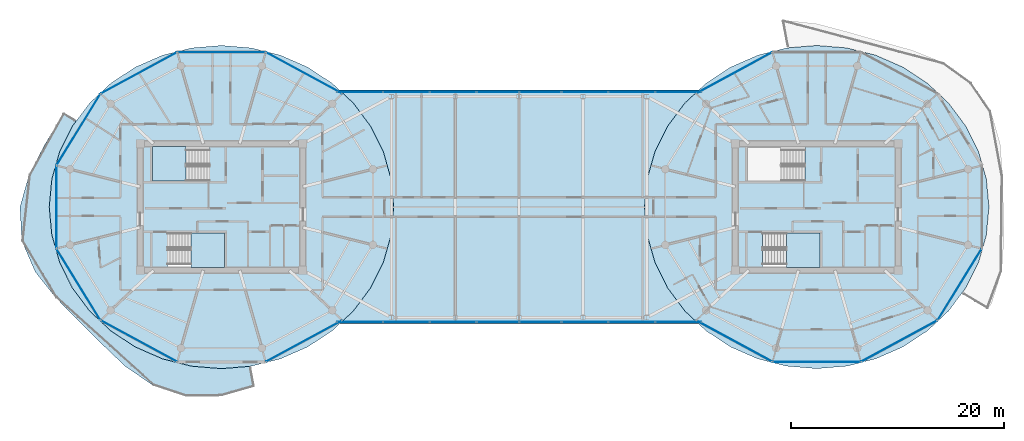
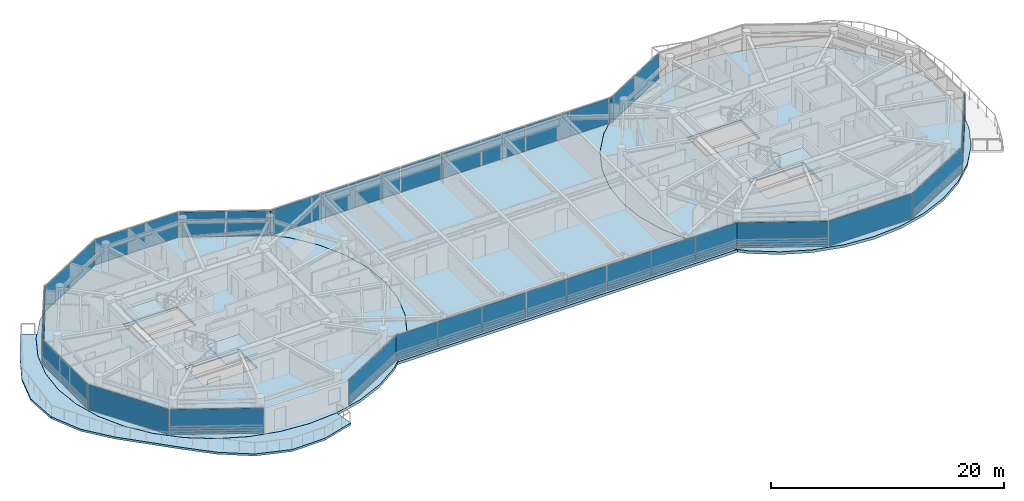
# One storey, part 11 of 24: 29 plates, 7 slabs, 22 elements without a shape of their own.
"""IFC4 building model written with IfcOpenShell, lengths in metres."""

from ifc_helpers import new_model, si_unit, direction, frame, origin, origin_2d, place, context, subcontext, project, spatial, polyline, rectangle, outline, extrude, source, transform, mapped, material, layer, layer_set, type_object, type_shapes, element, aggregate, save


model = new_model("IFC4")

# Units and contexts
model_context = context("Model", 3, precision=1e-05, world=origin(), true_north=direction((0.0, 1.0)))
body_context = subcontext(model_context, "Body", "Model", "MODEL_VIEW")
ifc_project = project(units=[si_unit("LENGTHUNIT", "METRE"), si_unit("AREAUNIT", "SQUARE_METRE"), si_unit("VOLUMEUNIT", "CUBIC_METRE"), si_unit("PLANEANGLEUNIT", "RADIAN"), si_unit("MASSUNIT", "GRAM", prefix="KILO")], contexts=[model_context])

# Site, building, storey
site_placement = place(None, origin())
site = spatial("IfcSite", under=ifc_project, at=site_placement, CompositionType="ELEMENT")
building_placement = place(site_placement, origin())
building = spatial("IfcBuilding", under=site, at=building_placement, Name="Norrkilde Senior Care Towers", CompositionType="ELEMENT")
storey_placement = place(building_placement, frame((0.0, 0.0, 223.050048828125)))
storey = spatial("IfcBuildingStorey", under=building, at=storey_placement, Name="L69", CompositionType="ELEMENT", Elevation=223.050048828125)

# Slabs
ifc_material_1 = material(Name="Concrete C50/60", Category="concrete")
ifc_layer_1 = layer(ifc_material_1, 0.2900390625)
ifc_layer_set_1 = layer_set([ifc_layer_1], Name="Concrete C50/60")
slab_type_1 = type_object("IfcSlabType", Name="Bridge Floor Slab 290", PredefinedType="FLOOR", material=ifc_layer_set_1)
slab_1_placement = place(storey_placement, frame((0.0, 0.0, -0.2900390625)))
element("IfcSlab", 1, at=slab_1_placement, inside=storey, type_object=slab_type_1, Name="L69 Drum W Structural Floor Slab", PredefinedType="FLOOR", context=body_context, shape_type="SweptSolid", body=[
    extrude(outline(polyline([(-12.777099609375, -5.19873046875), (-13.970458984375, -7.60009765625), (-15.590087890625, -9.770263671875), (-17.5869140625, -11.643798828125), (-19.89990234375, -13.16357421875), (-22.459228515625, -14.283447265625), (-25.18701171875, -14.968994140625), (-28.0, -15.199951171875), (-30.81298828125, -14.968994140625), (-33.540771484375, -14.283447265625), (-36.10009765625, -13.16357421875), (-38.4130859375, -11.643798828125), (-40.409912109375, -9.770263671875), (-42.029541015625, -7.60009765625), (-43.222900390625, -5.19873046875), (-43.953857421875, -2.639404296875), (-44.199951171875, 0.0), (-43.953857421875, 2.639404296875), (-43.222900390625, 5.19873046875), (-42.029541015625, 7.60009765625), (-40.409912109375, 9.770263671875), (-38.4130859375, 11.643798828125), (-36.10009765625, 13.16357421875), (-33.540771484375, 14.283447265625), (-30.81298828125, 14.968994140625), (-28.0, 15.199951171875), (-25.18701171875, 14.968994140625), (-22.459228515625, 14.283447265625), (-19.89990234375, 13.16357421875), (-17.5869140625, 11.643798828125), (-15.590087890625, 9.770263671875), (-13.970458984375, 7.60009765625), (-12.777099609375, 5.19873046875), (-12.046142578125, 2.639404296875), (-11.800048828125, 0.0), (-12.046142578125, -2.639404296875), (-12.777099609375, -5.19873046875)]), holes=[polyline([(-34.48193359375, 2.468017578125), (-29.117919921875, 2.468017578125), (-29.117919921875, 5.68994140625), (-34.48193359375, 5.68994140625), (-34.48193359375, 2.468017578125)]), polyline([(-27.718017578125, -5.68994140625), (-27.718017578125, -2.468017578125), (-33.08203125, -2.468017578125), (-33.08203125, -5.68994140625), (-27.718017578125, -5.68994140625)])]), origin(), (0.0, 0.0, 1.0), 0.2900390625),
])
slab_2_placement = place(storey_placement, frame((0.0, 0.0, -0.2900390625)))
element("IfcSlab", 2, at=slab_2_placement, inside=storey, type_object=slab_type_1, Name="L69 Drum E Structural Floor Slab", PredefinedType="FLOOR", context=body_context, shape_type="SweptSolid", body=[
    extrude(outline(polyline([(43.222900390625, -5.19873046875), (42.029541015625, -7.60009765625), (40.409912109375, -9.770263671875), (38.4130859375, -11.643798828125), (36.10009765625, -13.16357421875), (33.540771484375, -14.283447265625), (30.81298828125, -14.968994140625), (28.0, -15.199951171875), (25.18701171875, -14.968994140625), (22.459228515625, -14.283447265625), (19.89990234375, -13.16357421875), (17.5869140625, -11.643798828125), (15.590087890625, -9.770263671875), (13.970458984375, -7.60009765625), (12.777099609375, -5.19873046875), (12.046142578125, -2.639404296875), (11.800048828125, 0.0), (12.046142578125, 2.639404296875), (12.777099609375, 5.19873046875), (13.970458984375, 7.60009765625), (15.590087890625, 9.770263671875), (17.5869140625, 11.643798828125), (19.89990234375, 13.16357421875), (22.459228515625, 14.283447265625), (25.18701171875, 14.968994140625), (28.0, 15.199951171875), (30.81298828125, 14.968994140625), (33.540771484375, 14.283447265625), (36.10009765625, 13.16357421875), (38.4130859375, 11.643798828125), (40.409912109375, 9.770263671875), (42.029541015625, 7.60009765625), (43.222900390625, 5.19873046875), (43.953857421875, 2.639404296875), (44.199951171875, 0.0), (43.953857421875, -2.639404296875), (43.222900390625, -5.19873046875)]), holes=[polyline([(21.51806640625, 2.468017578125), (26.882080078125, 2.468017578125), (26.882080078125, 5.68994140625), (21.51806640625, 5.68994140625), (21.51806640625, 2.468017578125)]), polyline([(28.281982421875, -5.68994140625), (28.281982421875, -2.468017578125), (22.91796875, -2.468017578125), (22.91796875, -5.68994140625), (28.281982421875, -5.68994140625)])]), origin(), (0.0, 0.0, 1.0), 0.2900390625),
])
slab_3_placement = place(storey_placement, frame((0.0, 0.0, -0.2900390625)))
element("IfcSlab", 3, at=slab_3_placement, inside=storey, type_object=slab_type_1, Name="L69 Sky-Gate Bridge Floor Slab", PredefinedType="FLOOR", context=body_context, shape_type="SweptSolid", body=[
    extrude(outline(polyline([(16.893310546875, 11.0), (15.586669921875, 9.77392578125), (15.58642578125, 9.773681640625), (15.586181640625, 9.7734375), (13.96630859375, 7.60302734375), (13.966064453125, 7.6025390625), (13.9658203125, 7.602294921875), (12.7724609375, 5.200927734375), (12.772216796875, 5.200439453125), (12.772216796875, 5.2001953125), (12.041259765625, 2.640869140625), (12.041259765625, 2.640380859375), (12.041015625, 2.639892578125), (11.794921875, 0.00048828125), (11.794921875, 0.0), (11.794921875, -0.00048828125), (12.041015625, -2.639892578125), (12.041259765625, -2.640380859375), (12.041259765625, -2.640869140625), (12.772216796875, -5.2001953125), (12.772216796875, -5.200439453125), (12.7724609375, -5.200927734375), (13.9658203125, -7.602294921875), (13.966064453125, -7.6025390625), (13.96630859375, -7.60302734375), (15.586181640625, -9.7734375), (15.58642578125, -9.773681640625), (15.586669921875, -9.77392578125), (16.893310546875, -11.0), (-16.893310546875, -11.0), (-15.586669921875, -9.77392578125), (-15.58642578125, -9.773681640625), (-15.586181640625, -9.7734375), (-13.96630859375, -7.60302734375), (-13.966064453125, -7.6025390625), (-13.9658203125, -7.602294921875), (-12.7724609375, -5.200927734375), (-12.772216796875, -5.200439453125), (-12.772216796875, -5.2001953125), (-12.041259765625, -2.640869140625), (-12.041259765625, -2.640380859375), (-12.041015625, -2.639892578125), (-11.794921875, -0.00048828125), (-11.794921875, 0.0), (-11.794921875, 0.00048828125), (-12.041015625, 2.639892578125), (-12.041259765625, 2.640380859375), (-12.041259765625, 2.640869140625), (-12.772216796875, 5.2001953125), (-12.772216796875, 5.200439453125), (-12.7724609375, 5.200927734375), (-13.9658203125, 7.602294921875), (-13.966064453125, 7.6025390625), (-13.96630859375, 7.60302734375), (-15.586181640625, 9.7734375), (-15.58642578125, 9.773681640625), (-15.586669921875, 9.77392578125), (-16.893310546875, 11.0), (16.893310546875, 11.0)])), origin(), (0.0, 0.0, 1.0), 0.2900390625),
])
ifc_layer_2 = layer(ifc_material_1, 0.215087890625)
ifc_layer_set_2 = layer_set([ifc_layer_2], Name="Concrete C50/60")
slab_type_2 = type_object("IfcSlabType", Name="Sinusoidal Balcony Ribbon Slab 215", PredefinedType="FLOOR", material=ifc_layer_set_2)
slab_4_placement = place(storey_placement, frame((0.0, 0.0, -0.215087890625)))
element("IfcSlab", 4, at=slab_4_placement, inside=storey, type_object=slab_type_2, Name="L69 Drum W Swirling Senior Balcony 1", PredefinedType="FLOOR", context=body_context, shape_type="SweptSolid", body=[
    extrude(outline(polyline([(-34.4013671875, -16.8037109375), (-37.073486328125, -14.9609375), (-39.330322265625, -12.80859375), (-41.4384765625, -10.6904296875), (-43.571044921875, -8.54833984375), (-45.52099609375, -6.090087890625), (-46.78125, -3.1708984375), (-46.951904296875, 0.0), (-46.095458984375, 3.0419921875), (-44.684326171875, 5.765625), (-43.18310546875, 8.309814453125), (-42.85791015625, 8.865966796875), (-41.635498046875, 8.136474609375), (-42.033935546875, 7.6025390625), (-43.227783203125, 5.200439453125), (-43.958740234375, 2.640380859375), (-44.205078125, 0.0), (-43.958740234375, -2.640380859375), (-43.227783203125, -5.200439453125), (-42.033935546875, -7.6025390625), (-40.413818359375, -9.773681640625), (-38.416259765625, -11.647705078125), (-36.1025390625, -13.16796875), (-33.54248046875, -14.2880859375), (-30.81396484375, -14.97412109375), (-28.0, -15.205078125), (-25.234375, -14.97802734375), (-24.882568359375, -16.884033203125), (-28.0, -17.780517578125), (-31.2861328125, -17.828369140625), (-34.4013671875, -16.8037109375)])), origin(), (0.0, 0.0, 1.0), 0.215087890625),
])

# Stair, slab
ifc_material_2 = material(Name="Concrete C45/55", Category="concrete")
stair_type = type_object("IfcStairType", Name="Core Protected Dogleg Stair Typical 3050", PredefinedType="HALF_TURN_STAIR", material=ifc_material_2)
stair_1_placement = place(storey_placement, origin())
stair_1 = element("IfcStair", 5, at=stair_1_placement, inside=storey, type_object=stair_type, Name="L69 Protected Core Stair W1", PredefinedType="HALF_TURN_STAIR")
ifc_layer_3 = layer(ifc_material_2, 0.199951171875)
ifc_layer_set_3 = layer_set([ifc_layer_3], Name="Concrete C45/55")
slab_type_3 = type_object("IfcSlabType", Name="Stair Landing Slab 200", PredefinedType="LANDING", material=ifc_layer_set_3)
slab_5_placement = place(storey_placement, frame((0.0, 0.0, 1.324951171875)))
slab_5 = element("IfcSlab", 6, at=slab_5_placement, type_object=slab_type_3, Name="ST-W1 landing 1", PredefinedType="LANDING", context=body_context, shape_type="SweptSolid", body=[
    extrude(outline(polyline([(-31.340087890625, 5.68994140625), (-34.5, 5.68994140625), (-34.5, 2.449951171875), (-31.340087890625, 2.449951171875), (-31.340087890625, 5.68994140625)])), origin(), (0.0, 0.0, 1.0), 0.199951171875),
])
aggregate(stair_1, [slab_5])

stair_2_placement = place(storey_placement, origin())
stair_2 = element("IfcStair", 7, at=stair_2_placement, inside=storey, type_object=stair_type, Name="L69 Protected Core Stair W2", PredefinedType="HALF_TURN_STAIR")
slab_6_placement = place(storey_placement, frame((0.0, 0.0, 1.324951171875)))
slab_6 = element("IfcSlab", 8, at=slab_6_placement, type_object=slab_type_3, Name="ST-W2 landing 1", PredefinedType="LANDING", context=body_context, shape_type="SweptSolid", body=[
    extrude(outline(polyline([(-30.860107421875, -5.68994140625), (-27.699951171875, -5.68994140625), (-27.699951171875, -2.449951171875), (-30.860107421875, -2.449951171875), (-30.860107421875, -5.68994140625)])), origin(), (0.0, 0.0, 1.0), 0.199951171875),
])
aggregate(stair_2, [slab_6])

stair_3_placement = place(storey_placement, origin())
stair_3 = element("IfcStair", 9, at=stair_3_placement, inside=storey, type_object=stair_type, Name="L69 Protected Core Stair E2", PredefinedType="HALF_TURN_STAIR")
slab_7_placement = place(storey_placement, frame((0.0, 0.0, 1.324951171875)))
slab_7 = element("IfcSlab", 10, at=slab_7_placement, type_object=slab_type_3, Name="ST-E2 landing 1", PredefinedType="LANDING", context=body_context, shape_type="SweptSolid", body=[
    extrude(outline(polyline([(25.139892578125, -5.68994140625), (28.300048828125, -5.68994140625), (28.300048828125, -2.449951171875), (25.139892578125, -2.449951171875), (25.139892578125, -5.68994140625)])), origin(), (0.0, 0.0, 1.0), 0.199951171875),
])
aggregate(stair_3, [slab_7])

# Curtain wall, plate
ifc_material_3 = material(Name="Triple Low-E Insulated Glazing", Category="glass")
ifc_layer_4 = layer(ifc_material_3, 0.18505859375)
ifc_layer_set_4 = layer_set([ifc_layer_4], Name="Triple Low-E Insulated Glazing")
curtain_wall_type_1 = type_object("IfcCurtainWallType", Name="CW6 Zone 4 Crown Pavilion Curtain Wall", PredefinedType="NOTDEFINED", material=ifc_layer_set_4)
curtain_wall_1_placement = place(storey_placement, origin())
curtain_wall_1 = element("IfcCurtainWall", 11, at=curtain_wall_1_placement, inside=storey, type_object=curtain_wall_type_1, Name="L69 Drum W Curtain Wall 04", PredefinedType="NOTDEFINED")
ifc_layer_5 = layer(ifc_material_3, 0.035888671875)
ifc_layer_set_5 = layer_set([ifc_layer_5], Name="Triple Low-E Insulated Glazing")
plate_type = type_object("IfcPlateType", Name="Triple Low-E Vision Curtain Panel 36", PredefinedType="CURTAIN_PANEL", material=ifc_layer_set_5)
shared_shape_1 = source(origin(), body_context, "Body", "SweptSolid", [
    extrude(rectangle(XDim=7.80859375, YDim=0.035888671875, at=origin_2d()), origin(), (0.0, 0.0, 1.0), 2.639892578125),
])
plate_1_placement = place(storey_placement, frame((-41.451171875, 7.282958984375, 0.06005859375), z_axis=(0.0, 0.0, 1.0), x_axis=(0.524252726748, 0.851562727283, 0.0)))
plate_1 = element("IfcPlate", 12, at=plate_1_placement, type_object=plate_type, Name="CW-6 panel 1.1", PredefinedType="CURTAIN_PANEL", context=body_context, shape_type="MappedRepresentation", body=[
    mapped(shared_shape_1, transform((0.0, 0.0, 0.0), x_axis=(1.0, 0.0, 0.0), y_axis=(0.0, 1.0, 0.0), z_axis=(0.0, 0.0, 1.0), scale=1.0)),
])
aggregate(curtain_wall_1, [plate_1])

curtain_wall_2_placement = place(storey_placement, origin())
curtain_wall_2 = element("IfcCurtainWall", 13, at=curtain_wall_2_placement, inside=storey, type_object=curtain_wall_type_1, Name="L69 Drum W Curtain Wall 06", PredefinedType="NOTDEFINED")
plate_2_placement = place(storey_placement, frame((-41.451171875, -7.282958984375, 0.06005859375), z_axis=(0.0, 0.0, 1.0), x_axis=(-0.524252726748, 0.851562727283, 0.0)))
plate_2 = element("IfcPlate", 14, at=plate_2_placement, type_object=plate_type, Name="CW-6 panel 1.1", PredefinedType="CURTAIN_PANEL", context=body_context, shape_type="MappedRepresentation", body=[
    mapped(shared_shape_1, transform((0.0, 0.0, 0.0), x_axis=(1.0, 0.0, 0.0), y_axis=(0.0, 1.0, 0.0), z_axis=(0.0, 0.0, 1.0), scale=1.0)),
])
aggregate(curtain_wall_2, [plate_2])

curtain_wall_3_placement = place(storey_placement, origin())
curtain_wall_3 = element("IfcCurtainWall", 15, at=curtain_wall_3_placement, inside=storey, type_object=curtain_wall_type_1, Name="L69 Drum E Curtain Wall 10", PredefinedType="NOTDEFINED")
plate_3_placement = place(storey_placement, frame((41.451171875, -7.282958984375, 0.06005859375), z_axis=(0.0, 0.0, 1.0), x_axis=(-0.524252726748, -0.851562727283, 0.0)))
plate_3 = element("IfcPlate", 16, at=plate_3_placement, type_object=plate_type, Name="CW-6 panel 1.1", PredefinedType="CURTAIN_PANEL", context=body_context, shape_type="MappedRepresentation", body=[
    mapped(shared_shape_1, transform((0.0, 0.0, 0.0), x_axis=(1.0, 0.0, 0.0), y_axis=(0.0, 1.0, 0.0), z_axis=(0.0, 0.0, 1.0), scale=1.0)),
])
aggregate(curtain_wall_3, [plate_3])

curtain_wall_4_placement = place(storey_placement, origin())
curtain_wall_4 = element("IfcCurtainWall", 17, at=curtain_wall_4_placement, inside=storey, type_object=curtain_wall_type_1, Name="L69 Drum W Curtain Wall 01", PredefinedType="NOTDEFINED")
shared_shape_2 = source(origin(), body_context, "Body", "SweptSolid", [
    extrude(rectangle(XDim=8.0673828125, YDim=0.035888671875, at=origin_2d()), origin(), (0.0, 0.0, 1.0), 2.639892578125),
])
plate_4_placement = place(storey_placement, frame((-20.23388671875, 12.61474609375, 0.06005859375), z_axis=(0.0, 0.0, 1.0), x_axis=(0.879373455772, -0.476132676136, 0.0)))
plate_4 = element("IfcPlate", 18, at=plate_4_placement, type_object=plate_type, Name="CW-6 panel 1.1", PredefinedType="CURTAIN_PANEL", context=body_context, shape_type="MappedRepresentation", body=[
    mapped(shared_shape_2, transform((0.0, 0.0, 0.0), x_axis=(1.0, 0.0, 0.0), y_axis=(0.0, 1.0, 0.0), z_axis=(0.0, 0.0, 1.0), scale=1.0)),
])
aggregate(curtain_wall_4, [plate_4])

curtain_wall_5_placement = place(storey_placement, origin())
curtain_wall_5 = element("IfcCurtainWall", 19, at=curtain_wall_5_placement, inside=storey, type_object=curtain_wall_type_1, Name="L69 Drum W Curtain Wall 03", PredefinedType="NOTDEFINED")
plate_5_placement = place(storey_placement, frame((-35.76611328125, 12.61474609375, 0.06005859375), z_axis=(0.0, 0.0, 1.0), x_axis=(0.879373455772, 0.476132676136, 0.0)))
plate_5 = element("IfcPlate", 20, at=plate_5_placement, type_object=plate_type, Name="CW-6 panel 1.1", PredefinedType="CURTAIN_PANEL", context=body_context, shape_type="MappedRepresentation", body=[
    mapped(shared_shape_2, transform((0.0, 0.0, 0.0), x_axis=(1.0, 0.0, 0.0), y_axis=(0.0, 1.0, 0.0), z_axis=(0.0, 0.0, 1.0), scale=1.0)),
])
aggregate(curtain_wall_5, [plate_5])

curtain_wall_6_placement = place(storey_placement, origin())
curtain_wall_6 = element("IfcCurtainWall", 21, at=curtain_wall_6_placement, inside=storey, type_object=curtain_wall_type_1, Name="L69 Drum W Curtain Wall 07", PredefinedType="NOTDEFINED")
plate_6_placement = place(storey_placement, frame((-35.76611328125, -12.61474609375, 0.06005859375), z_axis=(0.0, 0.0, 1.0), x_axis=(-0.879373455772, 0.476132676136, 0.0)))
plate_6 = element("IfcPlate", 22, at=plate_6_placement, type_object=plate_type, Name="CW-6 panel 1.1", PredefinedType="CURTAIN_PANEL", context=body_context, shape_type="MappedRepresentation", body=[
    mapped(shared_shape_2, transform((0.0, 0.0, 0.0), x_axis=(1.0, 0.0, 0.0), y_axis=(0.0, 1.0, 0.0), z_axis=(0.0, 0.0, 1.0), scale=1.0)),
])
aggregate(curtain_wall_6, [plate_6])

curtain_wall_7_placement = place(storey_placement, origin())
curtain_wall_7 = element("IfcCurtainWall", 23, at=curtain_wall_7_placement, inside=storey, type_object=curtain_wall_type_1, Name="L69 Drum W Curtain Wall 09", PredefinedType="NOTDEFINED")
plate_7_placement = place(storey_placement, frame((-20.23388671875, -12.61474609375, 0.06005859375), z_axis=(0.0, 0.0, 1.0), x_axis=(-0.879373455772, -0.476132676136, 0.0)))
plate_7 = element("IfcPlate", 24, at=plate_7_placement, type_object=plate_type, Name="CW-6 panel 1.1", PredefinedType="CURTAIN_PANEL", context=body_context, shape_type="MappedRepresentation", body=[
    mapped(shared_shape_2, transform((0.0, 0.0, 0.0), x_axis=(1.0, 0.0, 0.0), y_axis=(0.0, 1.0, 0.0), z_axis=(0.0, 0.0, 1.0), scale=1.0)),
])
aggregate(curtain_wall_7, [plate_7])

curtain_wall_8_placement = place(storey_placement, origin())
curtain_wall_8 = element("IfcCurtainWall", 25, at=curtain_wall_8_placement, inside=storey, type_object=curtain_wall_type_1, Name="L69 Drum E Curtain Wall 03", PredefinedType="NOTDEFINED")
plate_8_placement = place(storey_placement, frame((20.23388671875, 12.61474609375, 0.06005859375), z_axis=(0.0, 0.0, 1.0), x_axis=(0.879373455772, 0.476132676136, 0.0)))
plate_8 = element("IfcPlate", 26, at=plate_8_placement, type_object=plate_type, Name="CW-6 panel 1.1", PredefinedType="CURTAIN_PANEL", context=body_context, shape_type="MappedRepresentation", body=[
    mapped(shared_shape_2, transform((0.0, 0.0, 0.0), x_axis=(1.0, 0.0, 0.0), y_axis=(0.0, 1.0, 0.0), z_axis=(0.0, 0.0, 1.0), scale=1.0)),
])
aggregate(curtain_wall_8, [plate_8])

curtain_wall_9_placement = place(storey_placement, origin())
curtain_wall_9 = element("IfcCurtainWall", 27, at=curtain_wall_9_placement, inside=storey, type_object=curtain_wall_type_1, Name="L69 Drum E Curtain Wall 07", PredefinedType="NOTDEFINED")
plate_9_placement = place(storey_placement, frame((20.23388671875, -12.61474609375, 0.06005859375), z_axis=(0.0, 0.0, 1.0), x_axis=(-0.879373455772, 0.476132676136, 0.0)))
plate_9 = element("IfcPlate", 28, at=plate_9_placement, type_object=plate_type, Name="CW-6 panel 1.1", PredefinedType="CURTAIN_PANEL", context=body_context, shape_type="MappedRepresentation", body=[
    mapped(shared_shape_2, transform((0.0, 0.0, 0.0), x_axis=(1.0, 0.0, 0.0), y_axis=(0.0, 1.0, 0.0), z_axis=(0.0, 0.0, 1.0), scale=1.0)),
])
aggregate(curtain_wall_9, [plate_9])

curtain_wall_10_placement = place(storey_placement, origin())
curtain_wall_10 = element("IfcCurtainWall", 29, at=curtain_wall_10_placement, inside=storey, type_object=curtain_wall_type_1, Name="L69 Drum E Curtain Wall 09", PredefinedType="NOTDEFINED")
plate_10_placement = place(storey_placement, frame((35.76611328125, -12.61474609375, 0.06005859375), z_axis=(0.0, 0.0, 1.0), x_axis=(-0.879373455772, -0.476132676136, 0.0)))
plate_10 = element("IfcPlate", 30, at=plate_10_placement, type_object=plate_type, Name="CW-6 panel 1.1", PredefinedType="CURTAIN_PANEL", context=body_context, shape_type="MappedRepresentation", body=[
    mapped(shared_shape_2, transform((0.0, 0.0, 0.0), x_axis=(1.0, 0.0, 0.0), y_axis=(0.0, 1.0, 0.0), z_axis=(0.0, 0.0, 1.0), scale=1.0)),
])
aggregate(curtain_wall_10, [plate_10])

curtain_wall_11_placement = place(storey_placement, origin())
curtain_wall_11 = element("IfcCurtainWall", 31, at=curtain_wall_11_placement, inside=storey, type_object=curtain_wall_type_1, Name="L69 Drum W Curtain Wall 02", PredefinedType="NOTDEFINED")
shared_shape_3 = source(origin(), body_context, "Body", "SweptSolid", [
    extrude(rectangle(XDim=8.193603515625, YDim=0.035888671875, at=origin_2d()), origin(), (0.0, 0.0, 1.0), 2.639892578125),
])
plate_11_placement = place(storey_placement, frame((-28.0, 14.566162109375, 0.06005859375), z_axis=(0.0, 0.0, 1.0), x_axis=(1.0, 0.0, 0.0)))
plate_11 = element("IfcPlate", 32, at=plate_11_placement, type_object=plate_type, Name="CW-6 panel 1.1", PredefinedType="CURTAIN_PANEL", context=body_context, shape_type="MappedRepresentation", body=[
    mapped(shared_shape_3, transform((0.0, 0.0, 0.0), x_axis=(1.0, 0.0, 0.0), y_axis=(0.0, 1.0, 0.0), z_axis=(0.0, 0.0, 1.0), scale=1.0)),
])
aggregate(curtain_wall_11, [plate_11])

curtain_wall_12_placement = place(storey_placement, origin())
curtain_wall_12 = element("IfcCurtainWall", 33, at=curtain_wall_12_placement, inside=storey, type_object=curtain_wall_type_1, Name="L69 Drum E Curtain Wall 08", PredefinedType="NOTDEFINED")
plate_12_placement = place(storey_placement, frame((28.0, -14.566162109375, 0.06005859375), z_axis=(0.0, 0.0, 1.0), x_axis=(-1.0, 0.0, 0.0)))
plate_12 = element("IfcPlate", 34, at=plate_12_placement, type_object=plate_type, Name="CW-6 panel 1.1", PredefinedType="CURTAIN_PANEL", context=body_context, shape_type="MappedRepresentation", body=[
    mapped(shared_shape_3, transform((0.0, 0.0, 0.0), x_axis=(1.0, 0.0, 0.0), y_axis=(0.0, 1.0, 0.0), z_axis=(0.0, 0.0, 1.0), scale=1.0)),
])
aggregate(curtain_wall_12, [plate_12])

curtain_wall_13_placement = place(storey_placement, origin())
curtain_wall_13 = element("IfcCurtainWall", 35, at=curtain_wall_13_placement, inside=storey, type_object=curtain_wall_type_1, Name="L69 Drum W Curtain Wall 05", PredefinedType="NOTDEFINED")
shared_shape_4 = source(origin(), body_context, "Body", "SweptSolid", [
    extrude(rectangle(XDim=7.676025390625, YDim=0.035888671875, at=origin_2d()), origin(), (0.0, 0.0, 1.0), 2.639892578125),
])
plate_13_placement = place(storey_placement, frame((-43.531982421875, 0.0, 0.06005859375), z_axis=(0.0, 0.0, 1.0), x_axis=(0.0, 1.0, 0.0)))
plate_13 = element("IfcPlate", 36, at=plate_13_placement, type_object=plate_type, Name="CW-6 panel 1.1", PredefinedType="CURTAIN_PANEL", context=body_context, shape_type="MappedRepresentation", body=[
    mapped(shared_shape_4, transform((0.0, 0.0, 0.0), x_axis=(1.0, 0.0, 0.0), y_axis=(0.0, 1.0, 0.0), z_axis=(0.0, 0.0, 1.0), scale=1.0)),
])
aggregate(curtain_wall_13, [plate_13])

# Curtain wall, plates
ifc_layer_6 = layer(ifc_material_3, 0.2099609375)
ifc_layer_set_6 = layer_set([ifc_layer_6], Name="Triple Low-E Insulated Glazing")
curtain_wall_type_2 = type_object("IfcCurtainWallType", Name="CW5 Sky-Gate Bridge Curtain Wall", PredefinedType="NOTDEFINED", material=ifc_layer_set_6)
curtain_wall_14_placement = place(storey_placement, origin())
curtain_wall_14 = element("IfcCurtainWall", 37, at=curtain_wall_14_placement, inside=storey, type_object=curtain_wall_type_2, Name="L69 Sky-Gate Bridge North Curtain Wall 1", PredefinedType="NOTDEFINED")
shared_shape_5 = source(origin(), body_context, "Body", "SweptSolid", [
    extrude(rectangle(XDim=4.294921875, YDim=0.035888671875, at=origin_2d()), origin(), (0.0, 0.0, 1.0), 2.6298828125),
])
plate_14_placement = place(storey_placement, frame((-14.982421875, 10.820068359375, 0.06494140625), z_axis=(0.0, 0.0, 1.0), x_axis=(1.0, 0.0, 0.0)))
plate_14 = element("IfcPlate", 38, at=plate_14_placement, type_object=plate_type, Name="CW-5 panel 1.1", PredefinedType="CURTAIN_PANEL", context=body_context, shape_type="MappedRepresentation", body=[
    mapped(shared_shape_5, transform((0.0, 0.0, 0.0), x_axis=(1.0, 0.0, 0.0), y_axis=(0.0, 1.0, 0.0), z_axis=(0.0, 0.0, 1.0), scale=1.0)),
])
plate_15_placement = place(storey_placement, frame((-6.217529296875, 10.820068359375, 0.06494140625), z_axis=(0.0, 0.0, 1.0), x_axis=(1.0, 0.0, 0.0)))
plate_15 = element("IfcPlate", 39, at=plate_15_placement, type_object=plate_type, Name="CW-5 panel 3.1", PredefinedType="CURTAIN_PANEL", context=body_context, shape_type="MappedRepresentation", body=[
    mapped(shared_shape_5, transform((0.0, 0.0, 0.0), x_axis=(1.0, 0.0, 0.0), y_axis=(0.0, 1.0, 0.0), z_axis=(0.0, 0.0, 1.0), scale=1.0)),
])

curtain_wall_15_placement = place(storey_placement, origin())
curtain_wall_15 = element("IfcCurtainWall", 40, at=curtain_wall_15_placement, inside=storey, type_object=curtain_wall_type_2, Name="L69 Sky-Gate Bridge North Curtain Wall 3", PredefinedType="NOTDEFINED")
plate_16_placement = place(storey_placement, frame((6.217529296875, 10.820068359375, 0.06494140625), z_axis=(0.0, 0.0, 1.0), x_axis=(1.0, 0.0, 0.0)))
plate_16 = element("IfcPlate", 41, at=plate_16_placement, type_object=plate_type, Name="CW-5 panel 1.1", PredefinedType="CURTAIN_PANEL", context=body_context, shape_type="MappedRepresentation", body=[
    mapped(shared_shape_5, transform((0.0, 0.0, 0.0), x_axis=(1.0, 0.0, 0.0), y_axis=(0.0, 1.0, 0.0), z_axis=(0.0, 0.0, 1.0), scale=1.0)),
])
plate_17_placement = place(storey_placement, frame((14.982421875, 10.820068359375, 0.06494140625), z_axis=(0.0, 0.0, 1.0), x_axis=(1.0, 0.0, 0.0)))
plate_17 = element("IfcPlate", 42, at=plate_17_placement, type_object=plate_type, Name="CW-5 panel 3.1", PredefinedType="CURTAIN_PANEL", context=body_context, shape_type="MappedRepresentation", body=[
    mapped(shared_shape_5, transform((0.0, 0.0, 0.0), x_axis=(1.0, 0.0, 0.0), y_axis=(0.0, 1.0, 0.0), z_axis=(0.0, 0.0, 1.0), scale=1.0)),
])

curtain_wall_16_placement = place(storey_placement, origin())
curtain_wall_16 = element("IfcCurtainWall", 43, at=curtain_wall_16_placement, inside=storey, type_object=curtain_wall_type_2, Name="L69 Sky-Gate Bridge South Curtain Wall 1", PredefinedType="NOTDEFINED")
plate_18_placement = place(storey_placement, frame((14.982421875, -10.820068359375, 0.06494140625), z_axis=(0.0, 0.0, 1.0), x_axis=(-1.0, 0.0, 0.0)))
plate_18 = element("IfcPlate", 44, at=plate_18_placement, type_object=plate_type, Name="CW-5 panel 1.1", PredefinedType="CURTAIN_PANEL", context=body_context, shape_type="MappedRepresentation", body=[
    mapped(shared_shape_5, transform((0.0, 0.0, 0.0), x_axis=(1.0, 0.0, 0.0), y_axis=(0.0, 1.0, 0.0), z_axis=(0.0, 0.0, 1.0), scale=1.0)),
])
plate_19_placement = place(storey_placement, frame((6.217529296875, -10.820068359375, 0.06494140625), z_axis=(0.0, 0.0, 1.0), x_axis=(-1.0, 0.0, 0.0)))
plate_19 = element("IfcPlate", 45, at=plate_19_placement, type_object=plate_type, Name="CW-5 panel 3.1", PredefinedType="CURTAIN_PANEL", context=body_context, shape_type="MappedRepresentation", body=[
    mapped(shared_shape_5, transform((0.0, 0.0, 0.0), x_axis=(1.0, 0.0, 0.0), y_axis=(0.0, 1.0, 0.0), z_axis=(0.0, 0.0, 1.0), scale=1.0)),
])

curtain_wall_17_placement = place(storey_placement, origin())
curtain_wall_17 = element("IfcCurtainWall", 46, at=curtain_wall_17_placement, inside=storey, type_object=curtain_wall_type_2, Name="L69 Sky-Gate Bridge South Curtain Wall 3", PredefinedType="NOTDEFINED")
plate_20_placement = place(storey_placement, frame((-6.217529296875, -10.820068359375, 0.06494140625), z_axis=(0.0, 0.0, 1.0), x_axis=(-1.0, 0.0, 0.0)))
plate_20 = element("IfcPlate", 47, at=plate_20_placement, type_object=plate_type, Name="CW-5 panel 1.1", PredefinedType="CURTAIN_PANEL", context=body_context, shape_type="MappedRepresentation", body=[
    mapped(shared_shape_5, transform((0.0, 0.0, 0.0), x_axis=(1.0, 0.0, 0.0), y_axis=(0.0, 1.0, 0.0), z_axis=(0.0, 0.0, 1.0), scale=1.0)),
])
plate_21_placement = place(storey_placement, frame((-14.982421875, -10.820068359375, 0.06494140625), z_axis=(0.0, 0.0, 1.0), x_axis=(-1.0, 0.0, 0.0)))
plate_21 = element("IfcPlate", 48, at=plate_21_placement, type_object=plate_type, Name="CW-5 panel 3.1", PredefinedType="CURTAIN_PANEL", context=body_context, shape_type="MappedRepresentation", body=[
    mapped(shared_shape_5, transform((0.0, 0.0, 0.0), x_axis=(1.0, 0.0, 0.0), y_axis=(0.0, 1.0, 0.0), z_axis=(0.0, 0.0, 1.0), scale=1.0)),
])

# Plate
shared_shape_6 = source(origin(), body_context, "Body", "SweptSolid", [
    extrude(rectangle(XDim=4.330078125, YDim=0.035888671875, at=origin_2d()), origin(), (0.0, 0.0, 1.0), 2.6298828125),
])
plate_22_placement = place(storey_placement, frame((-10.60009765625, 10.820068359375, 0.06494140625), z_axis=(0.0, 0.0, 1.0), x_axis=(1.0, 0.0, 0.0)))
plate_22 = element("IfcPlate", 49, at=plate_22_placement, type_object=plate_type, Name="CW-5 panel 2.1", PredefinedType="CURTAIN_PANEL", context=body_context, shape_type="MappedRepresentation", body=[
    mapped(shared_shape_6, transform((0.0, 0.0, 0.0), x_axis=(1.0, 0.0, 0.0), y_axis=(0.0, 1.0, 0.0), z_axis=(0.0, 0.0, 1.0), scale=1.0)),
])

aggregate(curtain_wall_14, [plate_14, plate_22, plate_15])

plate_23_placement = place(storey_placement, frame((10.60009765625, 10.820068359375, 0.06494140625), z_axis=(0.0, 0.0, 1.0), x_axis=(1.0, 0.0, 0.0)))
plate_23 = element("IfcPlate", 50, at=plate_23_placement, type_object=plate_type, Name="CW-5 panel 2.1", PredefinedType="CURTAIN_PANEL", context=body_context, shape_type="MappedRepresentation", body=[
    mapped(shared_shape_6, transform((0.0, 0.0, 0.0), x_axis=(1.0, 0.0, 0.0), y_axis=(0.0, 1.0, 0.0), z_axis=(0.0, 0.0, 1.0), scale=1.0)),
])

aggregate(curtain_wall_15, [plate_16, plate_23, plate_17])

plate_24_placement = place(storey_placement, frame((10.60009765625, -10.820068359375, 0.06494140625), z_axis=(0.0, 0.0, 1.0), x_axis=(-1.0, 0.0, 0.0)))
plate_24 = element("IfcPlate", 51, at=plate_24_placement, type_object=plate_type, Name="CW-5 panel 2.1", PredefinedType="CURTAIN_PANEL", context=body_context, shape_type="MappedRepresentation", body=[
    mapped(shared_shape_6, transform((0.0, 0.0, 0.0), x_axis=(1.0, 0.0, 0.0), y_axis=(0.0, 1.0, 0.0), z_axis=(0.0, 0.0, 1.0), scale=1.0)),
])

aggregate(curtain_wall_16, [plate_18, plate_24, plate_19])

plate_25_placement = place(storey_placement, frame((-10.60009765625, -10.820068359375, 0.06494140625), z_axis=(0.0, 0.0, 1.0), x_axis=(-1.0, 0.0, 0.0)))
plate_25 = element("IfcPlate", 52, at=plate_25_placement, type_object=plate_type, Name="CW-5 panel 2.1", PredefinedType="CURTAIN_PANEL", context=body_context, shape_type="MappedRepresentation", body=[
    mapped(shared_shape_6, transform((0.0, 0.0, 0.0), x_axis=(1.0, 0.0, 0.0), y_axis=(0.0, 1.0, 0.0), z_axis=(0.0, 0.0, 1.0), scale=1.0)),
])

aggregate(curtain_wall_17, [plate_20, plate_25, plate_21])

# Curtain wall, plates
curtain_wall_18_placement = place(storey_placement, origin())
curtain_wall_18 = element("IfcCurtainWall", 53, at=curtain_wall_18_placement, inside=storey, type_object=curtain_wall_type_2, Name="L69 Sky-Gate Bridge North Curtain Wall 2", PredefinedType="NOTDEFINED")
shared_shape_7 = source(origin(), body_context, "Body", "SweptSolid", [
    extrude(rectangle(XDim=3.89501953125, YDim=0.035888671875, at=origin_2d()), origin(), (0.0, 0.0, 1.0), 2.6298828125),
])
type_shapes(plate_type, [shared_shape_1, shared_shape_2, shared_shape_3, shared_shape_4, shared_shape_5, shared_shape_6, shared_shape_7])
plate_26_placement = place(storey_placement, frame((-1.982421875, 10.820068359375, 0.06494140625), z_axis=(0.0, 0.0, 1.0), x_axis=(1.0, 0.0, 0.0)))
plate_26 = element("IfcPlate", 54, at=plate_26_placement, type_object=plate_type, Name="CW-5 panel 1.1", PredefinedType="CURTAIN_PANEL", context=body_context, shape_type="MappedRepresentation", body=[
    mapped(shared_shape_7, transform((0.0, 0.0, 0.0), x_axis=(1.0, 0.0, 0.0), y_axis=(0.0, 1.0, 0.0), z_axis=(0.0, 0.0, 1.0), scale=1.0)),
])
plate_27_placement = place(storey_placement, frame((1.982421875, 10.820068359375, 0.06494140625), z_axis=(0.0, 0.0, 1.0), x_axis=(1.0, 0.0, 0.0)))
plate_27 = element("IfcPlate", 55, at=plate_27_placement, type_object=plate_type, Name="CW-5 panel 2.1", PredefinedType="CURTAIN_PANEL", context=body_context, shape_type="MappedRepresentation", body=[
    mapped(shared_shape_7, transform((0.0, 0.0, 0.0), x_axis=(1.0, 0.0, 0.0), y_axis=(0.0, 1.0, 0.0), z_axis=(0.0, 0.0, 1.0), scale=1.0)),
])
aggregate(curtain_wall_18, [plate_26, plate_27])

curtain_wall_19_placement = place(storey_placement, origin())
curtain_wall_19 = element("IfcCurtainWall", 56, at=curtain_wall_19_placement, inside=storey, type_object=curtain_wall_type_2, Name="L69 Sky-Gate Bridge South Curtain Wall 2", PredefinedType="NOTDEFINED")
plate_28_placement = place(storey_placement, frame((1.982421875, -10.820068359375, 0.06494140625), z_axis=(0.0, 0.0, 1.0), x_axis=(-1.0, 0.0, 0.0)))
plate_28 = element("IfcPlate", 57, at=plate_28_placement, type_object=plate_type, Name="CW-5 panel 1.1", PredefinedType="CURTAIN_PANEL", context=body_context, shape_type="MappedRepresentation", body=[
    mapped(shared_shape_7, transform((0.0, 0.0, 0.0), x_axis=(1.0, 0.0, 0.0), y_axis=(0.0, 1.0, 0.0), z_axis=(0.0, 0.0, 1.0), scale=1.0)),
])
plate_29_placement = place(storey_placement, frame((-1.982421875, -10.820068359375, 0.06494140625), z_axis=(0.0, 0.0, 1.0), x_axis=(-1.0, 0.0, 0.0)))
plate_29 = element("IfcPlate", 58, at=plate_29_placement, type_object=plate_type, Name="CW-5 panel 2.1", PredefinedType="CURTAIN_PANEL", context=body_context, shape_type="MappedRepresentation", body=[
    mapped(shared_shape_7, transform((0.0, 0.0, 0.0), x_axis=(1.0, 0.0, 0.0), y_axis=(0.0, 1.0, 0.0), z_axis=(0.0, 0.0, 1.0), scale=1.0)),
])
aggregate(curtain_wall_19, [plate_28, plate_29])

save(model, "model.ifc")
